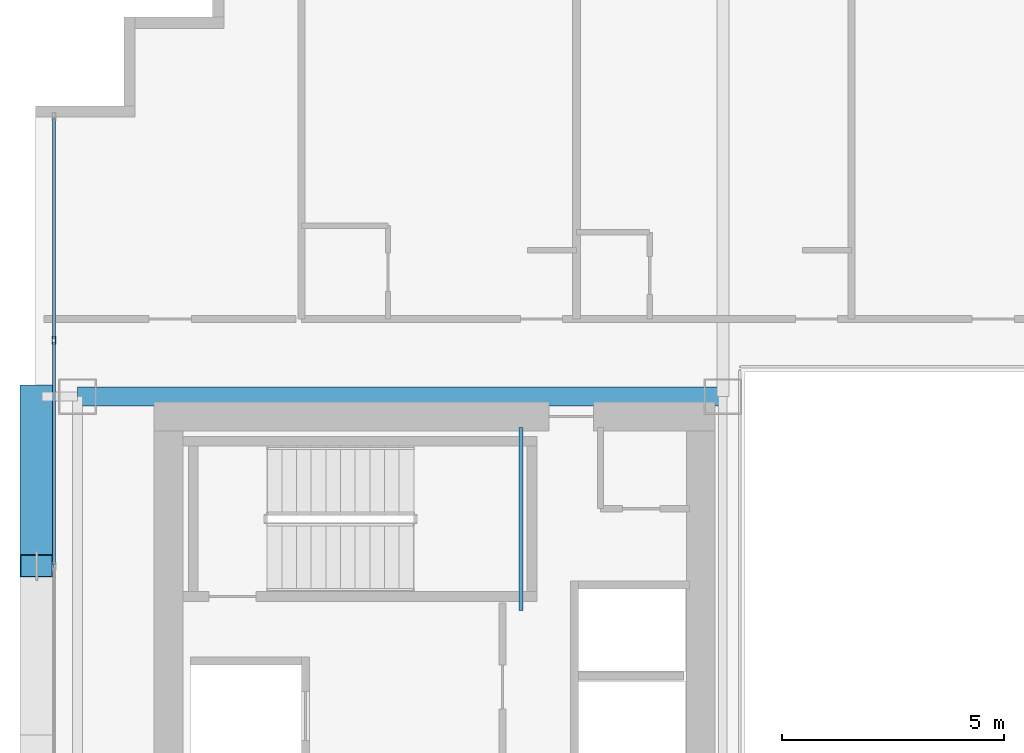
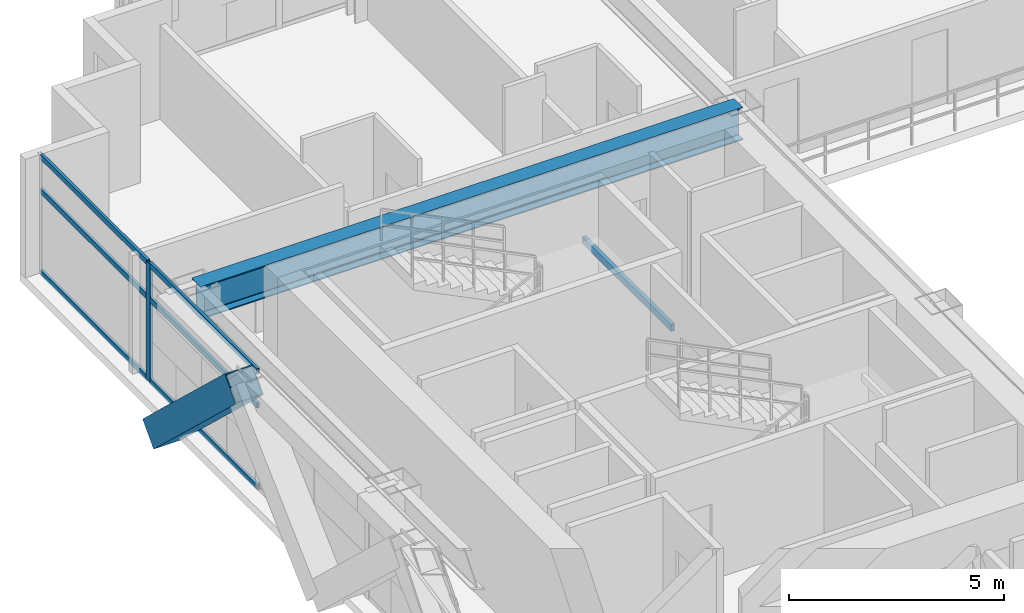
# One storey, part 16 of 35: 8 members, 2 beams, 1 element without a shape of its own.
"""IFC4 building model written with IfcOpenShell, lengths in metres."""

from ifc_helpers import new_model, si_unit, direction, frame, origin, origin_2d, place, context, subcontext, project, spatial, hollow_rectangle, i_section, extrude, source, transform, mapped, material, layer, layer_set, material_profile, profile_set, type_object, element, aggregate, save


model = new_model("IFC4")

# Units and contexts
model_context = context("Model", 3, precision=1e-05, world=origin(), true_north=direction((0.0, 1.0)))
body_context = subcontext(model_context, "Body", "Model", "MODEL_VIEW")
ifc_project = project(units=[si_unit("LENGTHUNIT", "METRE"), si_unit("AREAUNIT", "SQUARE_METRE"), si_unit("VOLUMEUNIT", "CUBIC_METRE"), si_unit("PLANEANGLEUNIT", "RADIAN"), si_unit("MASSUNIT", "GRAM", prefix="KILO")], contexts=[model_context])

# Site, building, storey
site_placement = place(None, origin())
site = spatial("IfcSite", under=ifc_project, at=site_placement, CompositionType="ELEMENT")
building_placement = place(site_placement, origin())
building = spatial("IfcBuilding", under=site, at=building_placement, Name="Ocotamira Hotel", CompositionType="ELEMENT")
storey_placement = place(building_placement, frame((0.0, 0.0, 118.800048828125)))
storey = spatial("IfcBuildingStorey", under=building, at=storey_placement, Name="L29", CompositionType="ELEMENT", Elevation=118.800048828125)

# Beams
ifc_material_1 = material(Name="Steel ASTM A500 Grade C", Category="steel")
ifc_material_profile_1 = material_profile(ifc_material_1, hollow_rectangle(XDim=0.10009765625, YDim=0.199951171875, WallThickness=0.008056640625, at=origin_2d()), Name="HSS200X100X8")
ifc_profile_set_1 = profile_set([ifc_material_profile_1], Name="Steel ASTM A500 Grade C")
beam_type_1 = type_object("IfcBeamType", Name="BM-STLDG-HSS200", PredefinedType="BEAM", material=ifc_profile_set_1)
shared_shape_1 = source(origin(), body_context, "Body", "SweptSolid", [
    extrude(hollow_rectangle(XDim=0.10009765625, YDim=0.199951171875, WallThickness=0.008056640625, at=origin_2d()), origin(), (0.0, 0.0, 1.0), 4.1201171875),
])
beam_1_placement = place(storey_placement, frame((18.949951171875, 32.6298828125, 1.5), z_axis=(0.0, 1.0, 0.0), x_axis=(-1.0, 0.0, 0.0)))
element("IfcBeam", 1, at=beam_1_placement, inside=storey, type_object=beam_type_1, Name="L29 Stair ST-2 Landing Bearer 1", PredefinedType="BEAM", context=body_context, shape_type="MappedRepresentation", body=[
    mapped(shared_shape_1, transform((0.0, 0.0, 0.0), scale=1.0)),
])
ifc_material_2 = material(Name="Steel ASTM A992 Grade 50", Category="steel")
ifc_material_profile_2 = material_profile(ifc_material_2, i_section(OverallWidth=0.41796875, OverallDepth=0.927001953125, WebThickness=0.019287109375, FlangeThickness=0.031982421875, FilletRadius=0.02392578125, at=origin_2d()), Name="W36X231")
ifc_profile_set_2 = profile_set([ifc_material_profile_2], Name="Steel ASTM A992 Grade 50")
beam_type_2 = type_object("IfcBeamType", Name="BM-GIRD-W36X231", PredefinedType="BEAM", material=ifc_profile_set_2)
shared_shape_2 = source(origin(), body_context, "Body", "SweptSolid", [
    extrude(i_section(OverallWidth=0.41796875, OverallDepth=0.927001953125, WebThickness=0.019287109375, FlangeThickness=0.031982421875, FilletRadius=0.02392578125, at=origin_2d()), origin(), (0.0, 0.0, 1.0), 14.550048828125),
])
beam_2_placement = place(storey_placement, frame((8.949951171875, 37.449951171875, 2.896484375), z_axis=(1.0, 0.0, 0.0), x_axis=(0.0, 1.0, 0.0)))
element("IfcBeam", 2, at=beam_2_placement, inside=storey, type_object=beam_type_2, Name="L29 Girder Y37.45 X8.95-23.5", PredefinedType="BEAM", context=body_context, shape_type="MappedRepresentation", body=[
    mapped(shared_shape_2, transform((0.0, 0.0, 0.0), scale=1.0)),
])

# Member
ifc_material_3 = material(Name="Pale-metal coated steel ASTM A913 Grade 65", Category="steel")
ifc_material_profile_3 = material_profile(ifc_material_3, hollow_rectangle(XDim=0.75, YDim=0.75, WallThickness=0.028076171875, at=origin_2d()), Name="BOX750X750X28")
ifc_profile_set_3 = profile_set([ifc_material_profile_3], Name="Pale-metal coated steel ASTM A913 Grade 65")
member_type_1 = type_object("IfcMemberType", Name="MEM-EXO-BOX750", PredefinedType="BRACE", material=ifc_profile_set_3)
shared_shape_3 = source(origin(), body_context, "Body", "SweptSolid", [
    extrude(hollow_rectangle(XDim=0.75, YDim=0.75, WallThickness=0.028076171875, at=origin_2d()), origin(), (0.0, 0.0, 1.0), 5.24658203125),
])
member_1_placement = place(storey_placement, frame((8.030029296875, 37.449951171875, -0.489990234375), z_axis=(0.0, -0.72746596067, 0.686143772154), x_axis=(1.0, 0.0, 0.0)))
element("IfcMember", 3, at=member_1_placement, inside=storey, type_object=member_type_1, Name="L29 Exoskeleton Diagrid W2.2", PredefinedType="BRACE", context=body_context, shape_type="MappedRepresentation", body=[
    mapped(shared_shape_3, transform((0.0, 0.0, 0.0), scale=1.0)),
])

# Curtain wall, members
ifc_material_4 = material(Name="Anodised pale-metal aluminium and solar glass", Category="aluminium")
ifc_layer = layer(ifc_material_4, 0.179931640625)
ifc_layer_set = layer_set([ifc_layer], Name="Anodised pale-metal aluminium and solar glass")
curtain_wall_type = type_object("IfcCurtainWallType", Name="CW-SYS3-Z2", PredefinedType="NOTDEFINED", material=ifc_layer_set)
curtain_wall_placement = place(storey_placement, origin())
curtain_wall = element("IfcCurtainWall", 4, at=curtain_wall_placement, inside=storey, type_object=curtain_wall_type, Name="L29 Curtain Wall CW-3 CW-L29-W", PredefinedType="NOTDEFINED")
ifc_material_5 = material(Name="Anodised pale-metal aluminium 6063-T6", Category="aluminium")
ifc_material_profile_4 = material_profile(ifc_material_5, hollow_rectangle(XDim=0.074951171875, YDim=0.14990234375, WallThickness=0.006103515625, at=origin_2d()), Name="HSS150X75X6")
ifc_profile_set_4 = profile_set([ifc_material_profile_4], Name="Anodised pale-metal aluminium 6063-T6")
member_type_2 = type_object("IfcMemberType", Name="CWT-150X75", PredefinedType="USERDEFINED", material=ifc_profile_set_4)
shared_shape_4 = source(origin(), body_context, "Body", "SweptSolid", [
    extrude(hollow_rectangle(XDim=0.074951171875, YDim=0.14990234375, WallThickness=0.006103515625, at=origin_2d()), origin(), (0.0, 0.0, 1.0), 4.965576171875),
])
member_2_placement = place(storey_placement, frame((8.419921875, 38.75439453125, 0.037353515625), z_axis=(0.0, 1.0, 0.0), x_axis=(-1.0, 0.0, 0.0)))
member_2 = element("IfcMember", 5, at=member_2_placement, type_object=member_type_2, Name="CW-3 transom 7.1", ObjectType="TRANSOM", PredefinedType="USERDEFINED", context=body_context, shape_type="MappedRepresentation", body=[
    mapped(shared_shape_4, transform((0.0, 0.0, 0.0), scale=1.0)),
])
member_3_placement = place(storey_placement, frame((8.419921875, 38.75439453125, 2.349853515625), z_axis=(0.0, 1.0, 0.0), x_axis=(-1.0, 0.0, 0.0)))
member_3 = element("IfcMember", 6, at=member_3_placement, type_object=member_type_2, Name="CW-3 transom 7.2", ObjectType="TRANSOM", PredefinedType="USERDEFINED", context=body_context, shape_type="MappedRepresentation", body=[
    mapped(shared_shape_4, transform((0.0, 0.0, 0.0), scale=1.0)),
])
member_4_placement = place(storey_placement, frame((8.419921875, 38.75439453125, 3.322509765625), z_axis=(0.0, 1.0, 0.0), x_axis=(-1.0, 0.0, 0.0)))
member_4 = element("IfcMember", 7, at=member_4_placement, type_object=member_type_2, Name="CW-3 transom 7.3", ObjectType="TRANSOM", PredefinedType="USERDEFINED", context=body_context, shape_type="MappedRepresentation", body=[
    mapped(shared_shape_4, transform((0.0, 0.0, 0.0), scale=1.0)),
])
shared_shape_5 = source(origin(), body_context, "Body", "SweptSolid", [
    extrude(hollow_rectangle(XDim=0.074951171875, YDim=0.14990234375, WallThickness=0.006103515625, at=origin_2d()), origin(), (0.0, 0.0, 1.0), 5.005859375),
])
member_5_placement = place(storey_placement, frame((8.419921875, 33.66845703125, 0.037353515625), z_axis=(0.0, 1.0, 0.0), x_axis=(-1.0, 0.0, 0.0)))
member_5 = element("IfcMember", 8, at=member_5_placement, type_object=member_type_2, Name="CW-3 transom 6.1", ObjectType="TRANSOM", PredefinedType="USERDEFINED", context=body_context, shape_type="MappedRepresentation", body=[
    mapped(shared_shape_5, transform((0.0, 0.0, 0.0), scale=1.0)),
])
member_6_placement = place(storey_placement, frame((8.419921875, 33.66845703125, 2.349853515625), z_axis=(0.0, 1.0, 0.0), x_axis=(-1.0, 0.0, 0.0)))
member_6 = element("IfcMember", 9, at=member_6_placement, type_object=member_type_2, Name="CW-3 transom 6.2", ObjectType="TRANSOM", PredefinedType="USERDEFINED", context=body_context, shape_type="MappedRepresentation", body=[
    mapped(shared_shape_5, transform((0.0, 0.0, 0.0), scale=1.0)),
])
member_7_placement = place(storey_placement, frame((8.419921875, 33.66845703125, 3.322509765625), z_axis=(0.0, 1.0, 0.0), x_axis=(-1.0, 0.0, 0.0)))
member_7 = element("IfcMember", 10, at=member_7_placement, type_object=member_type_2, Name="CW-3 transom 6.3", ObjectType="TRANSOM", PredefinedType="USERDEFINED", context=body_context, shape_type="MappedRepresentation", body=[
    mapped(shared_shape_5, transform((0.0, 0.0, 0.0), scale=1.0)),
])
ifc_material_profile_5 = material_profile(ifc_material_5, hollow_rectangle(XDim=0.080078125, YDim=0.179931640625, WallThickness=0.006103515625, at=origin_2d()), Name="HSS180X80X6")
ifc_profile_set_5 = profile_set([ifc_material_profile_5], Name="Anodised pale-metal aluminium 6063-T6")
member_type_3 = type_object("IfcMemberType", Name="CWM-180X75", PredefinedType="MULLION", material=ifc_profile_set_5)
shared_shape_6 = source(origin(), body_context, "Body", "SweptSolid", [
    extrude(hollow_rectangle(XDim=0.080078125, YDim=0.179931640625, WallThickness=0.006103515625, at=origin_2d()), origin(), (0.0, 0.0, 1.0), 3.35986328125),
])
member_8_placement = place(storey_placement, frame((8.419921875, 38.71435546875, 0.0), z_axis=(0.0, 0.0, 1.0), x_axis=(-1.0, 0.0, 0.0)))
member_8 = element("IfcMember", 11, at=member_8_placement, type_object=member_type_3, Name="CW-3 mullion 7", PredefinedType="MULLION", context=body_context, shape_type="MappedRepresentation", body=[
    mapped(shared_shape_6, transform((0.0, 0.0, 0.0), scale=1.0)),
])
aggregate(curtain_wall, [member_8, member_5, member_6, member_7, member_2, member_3, member_4])

save(model, "model.ifc")
